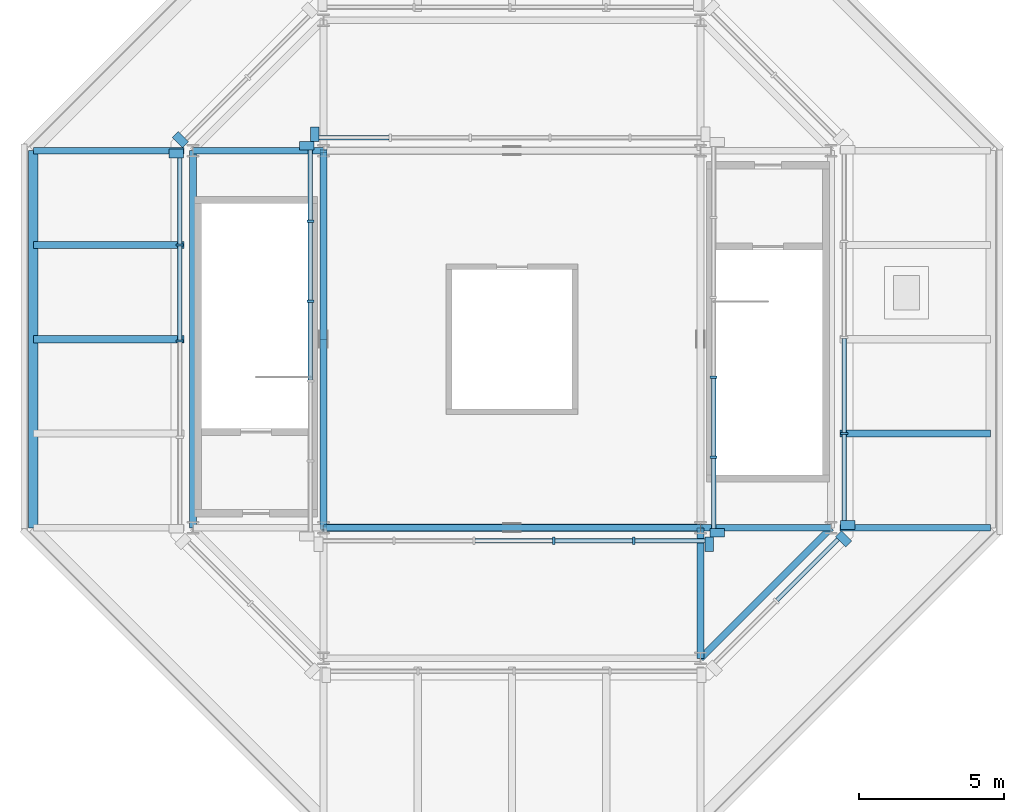
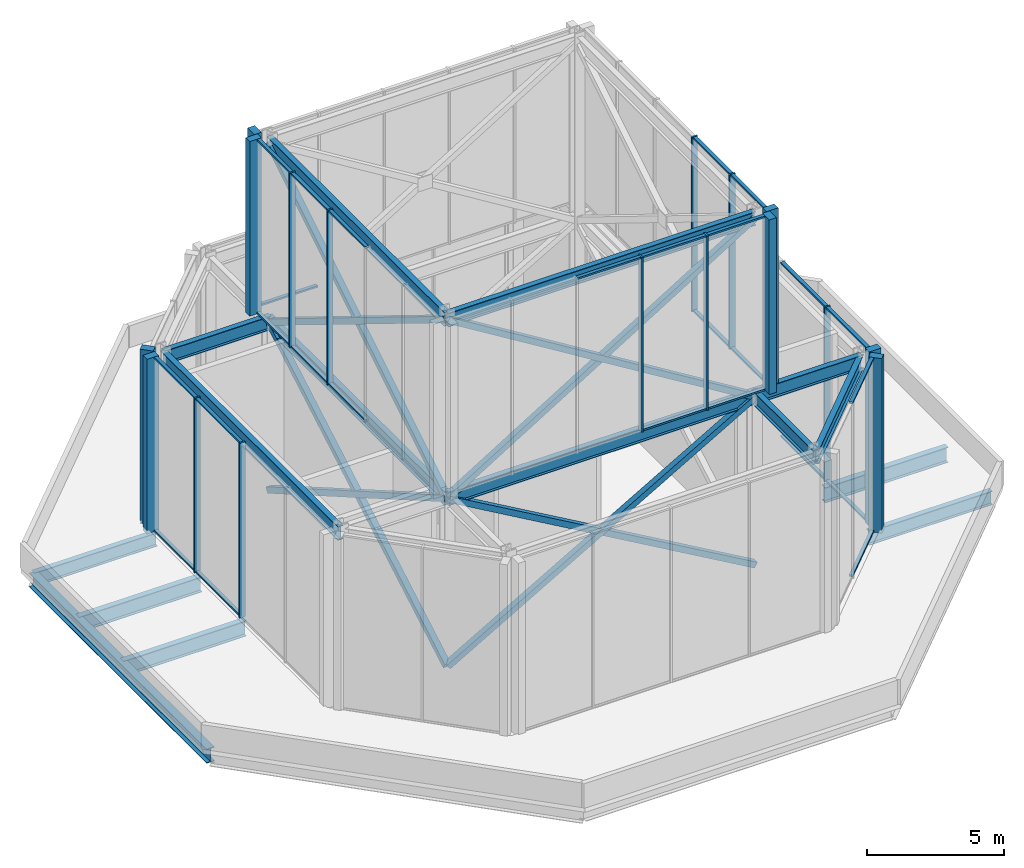
# One storey, part 2 of 6: 51 members, 15 beams, 8 elements without a shape of their own.
"""IFC4 building model written with IfcOpenShell, lengths in metres."""

from ifc_helpers import new_model, si_unit, direction, frame, origin, origin_2d, place, context, subcontext, project, spatial, rectangle, hollow_rectangle, i_section, extrude, material, material_profile, profile_set, type_object, element, aggregate, save


model = new_model("IFC4")

# Units and contexts
model_context = context("Model", 3, precision=1e-05, world=origin(), true_north=direction((0.0, 1.0)))
body_context = subcontext(model_context, "Body", "Model", "MODEL_VIEW")
ifc_project = project(units=[si_unit("LENGTHUNIT", "METRE"), si_unit("AREAUNIT", "SQUARE_METRE"), si_unit("VOLUMEUNIT", "CUBIC_METRE"), si_unit("PLANEANGLEUNIT", "RADIAN"), si_unit("MASSUNIT", "GRAM", prefix="KILO")], contexts=[model_context])

# Site, building, storey
site_placement = place(None, origin())
site = spatial("IfcSite", under=ifc_project, at=site_placement, CompositionType="ELEMENT")
building_placement = place(site_placement, origin())
building = spatial("IfcBuilding", under=site, at=building_placement, Name="Trevanion Tower", CompositionType="ELEMENT")
storey_placement = place(building_placement, frame((0.0, 0.0, 310.199951171875)))
storey = spatial("IfcBuildingStorey", under=building, at=storey_placement, Name="ROOF", CompositionType="ELEMENT", Elevation=310.199951171875)

# Beams
ifc_material_1 = material(Name="Steel ASTM A992 Grade 50", Category="steel")
ifc_material_profile_1 = material_profile(ifc_material_1, i_section(OverallWidth=0.25390625, OverallDepth=0.683349609375, WebThickness=0.012451171875, FlangeThickness=0.01904296875, at=origin_2d()), Name="W27X94")
ifc_profile_set_1 = profile_set([ifc_material_profile_1], Name="Steel ASTM A992 Grade 50")
beam_type_1 = type_object("IfcBeamType", Name="B16 W27X94", PredefinedType="BEAM", material=ifc_profile_set_1)
for number, where, z_axis, x_axis, name in (
    (1, (11.300048828125, -3.25, -0.531494140625), (1.0, 0.0, 0.0), (0.0, 1.0, 0.0), "B16 ROOF"),
    (2, (-11.300048828125, 3.25, -0.531494140625), (-1.0, 0.0, 0.0), (0.0, -1.0, 0.0), "B16 ROOF"),
    (3, (-11.300048828125, 0.0, -0.531494140625), (-1.0, 0.0, 0.0), (0.0, -1.0, 0.0), "B16 ROOF"),
):
    element("IfcBeam", number, at=place(storey_placement, frame(where, z_axis=z_axis, x_axis=x_axis)), inside=storey, type_object=beam_type_1, Name=name, PredefinedType="BEAM", context=body_context, shape_type="SweptSolid", body=[
        extrude(i_section(OverallWidth=0.25390625, OverallDepth=0.683349609375, WebThickness=0.012451171875, FlangeThickness=0.01904296875, at=origin_2d()), origin(), (0.0, 0.0, 1.0), 5.199951171875),
    ])
ifc_material_2 = material(Name="Steel ASTM A992 Grade 50", Category="steel")
ifc_material_profile_2 = material_profile(ifc_material_2, i_section(OverallWidth=0.23046875, OverallDepth=0.6171875, WebThickness=0.01318359375, FlangeThickness=0.022216796875, at=origin_2d()), Name="W24X94")
ifc_profile_set_2 = profile_set([ifc_material_profile_2], Name="Steel ASTM A992 Grade 50")
beam_type_2 = type_object("IfcBeamType", Name="CR1 W24X94", PredefinedType="BEAM", material=ifc_profile_set_2)
beam_1_placement = place(storey_placement, frame((-11.0, 6.5, 7.50146484375), z_axis=(0.0, -1.0, 0.0), x_axis=(1.0, 0.0, 0.0)))
element("IfcBeam", 4, at=beam_1_placement, inside=storey, type_object=beam_type_2, Name="CR1 crown T1 ring", PredefinedType="BEAM", context=body_context, shape_type="SweptSolid", body=[
    extrude(i_section(OverallWidth=0.23046875, OverallDepth=0.6171875, WebThickness=0.01318359375, FlangeThickness=0.022216796875, at=origin_2d()), origin(), (0.0, 0.0, 1.0), 13.0),
])
beam_2_placement = place(storey_placement, frame((6.5, -11.0, 7.50146484375), z_axis=(0.707106781187, 0.707106781187, 0.0), x_axis=(-0.707106781187, 0.707106781187, 0.0)))
element("IfcBeam", 5, at=beam_2_placement, inside=storey, type_object=beam_type_2, Name="CR1 crown T1 ring", PredefinedType="BEAM", context=body_context, shape_type="SweptSolid", body=[
    extrude(i_section(OverallWidth=0.23046875, OverallDepth=0.6171875, WebThickness=0.01318359375, FlangeThickness=0.022216796875, at=origin_2d()), origin(), (0.0, 0.0, 1.0), 6.364013671875),
])
for number, where, z_axis, x_axis, name in (
    (6, (-6.5, 6.5, 15.50146484375), (0.0, -1.0, 0.0), (1.0, 0.0, 0.0), "CR1 crown T2 ring"),
    (7, (-6.5, -6.5, 15.50146484375), (1.0, 0.0, 0.0), (0.0, 1.0, 0.0), "CR1 crown T2 ring"),
):
    element("IfcBeam", number, at=place(storey_placement, frame(where, z_axis=z_axis, x_axis=x_axis)), inside=storey, type_object=beam_type_2, Name=name, PredefinedType="BEAM", context=body_context, shape_type="SweptSolid", body=[
        extrude(i_section(OverallWidth=0.23046875, OverallDepth=0.6171875, WebThickness=0.01318359375, FlangeThickness=0.022216796875, at=origin_2d()), origin(), (0.0, 0.0, 1.0), 13.0),
    ])
ifc_material_3 = material(Name="Steel ASTM A992 Grade 50", Category="steel")
ifc_material_profile_3 = material_profile(ifc_material_3, i_section(OverallWidth=0.23046875, OverallDepth=0.6171875, WebThickness=0.01318359375, FlangeThickness=0.022216796875, at=origin_2d()), Name="W24X94")
ifc_profile_set_3 = profile_set([ifc_material_profile_3], Name="Steel ASTM A992 Grade 50")
beam_type_3 = type_object("IfcBeamType", Name="CR2 W24X94", PredefinedType="BEAM", material=ifc_profile_set_3)
for number, where, z_axis, x_axis, name in (
    (8, (-6.5, 6.5, 7.50146484375), (0.0, -1.0, 0.0), (1.0, 0.0, 0.0), "CR2 crown tier 1 inner ring"),
    (9, (-6.5, -6.5, 7.50146484375), (1.0, 0.0, 0.0), (0.0, 1.0, 0.0), "CR2 crown tier 1 inner ring"),
):
    element("IfcBeam", number, at=place(storey_placement, frame(where, z_axis=z_axis, x_axis=x_axis)), inside=storey, type_object=beam_type_3, Name=name, PredefinedType="BEAM", context=body_context, shape_type="SweptSolid", body=[
        extrude(i_section(OverallWidth=0.23046875, OverallDepth=0.6171875, WebThickness=0.01318359375, FlangeThickness=0.022216796875, at=origin_2d()), origin(), (0.0, 0.0, 1.0), 13.0),
    ])
for number, where, z_axis, x_axis, name in (
    (10, (6.5, -6.5, 7.50146484375), (1.0, 0.0, 0.0), (0.0, 1.0, 0.0), "CR2 crown tier 1 radial"),
    (11, (6.5, -6.5, 7.50146484375), (0.0, -1.0, 0.0), (1.0, 0.0, 0.0), "CR2 crown tier 1 radial"),
    (12, (-6.5, 6.5, 7.50146484375), (-1.0, 0.0, 0.0), (0.0, -1.0, 0.0), "CR2 crown tier 1 radial"),
):
    element("IfcBeam", number, at=place(storey_placement, frame(where, z_axis=z_axis, x_axis=x_axis)), inside=storey, type_object=beam_type_3, Name=name, PredefinedType="BEAM", context=body_context, shape_type="SweptSolid", body=[
        extrude(i_section(OverallWidth=0.23046875, OverallDepth=0.6171875, WebThickness=0.01318359375, FlangeThickness=0.022216796875, at=origin_2d()), origin(), (0.0, 0.0, 1.0), 4.5),
    ])

# Curtain wall, members
ifc_material_4 = material(Name="Aluminium louvres", Category="aluminium")
curtain_wall_type = type_object("IfcCurtainWallType", Name="CWC curtain wall", PredefinedType="USERDEFINED", material=ifc_material_4)
curtain_wall_1_placement = place(storey_placement, origin())
curtain_wall_1 = element("IfcCurtainWall", 13, at=curtain_wall_1_placement, inside=storey, type_object=curtain_wall_type, Name="CWC ROOF 3", ObjectType="LOUVRE SCREEN", PredefinedType="USERDEFINED")
ifc_material_5 = material(Name="Aluminium extrusion, anodised bronze", Category="aluminium")
ifc_material_profile_4 = material_profile(ifc_material_5, rectangle(XDim=0.074951171875, YDim=0.25, at=origin_2d()), Name="CWC mullion")
ifc_profile_set_4 = profile_set([ifc_material_profile_4], Name="Aluminium extrusion, anodised bronze")
member_type_1 = type_object("IfcMemberType", Name="CWC mullion", PredefinedType="MULLION", material=ifc_profile_set_4)
member_1_placement = place(storey_placement, frame((-11.449951171875, 3.24560546875, 0.0), z_axis=(0.0, 0.0, 1.0), x_axis=(0.0, -1.0, 0.0)))
member_1 = element("IfcMember", 14, at=member_1_placement, type_object=member_type_1, Name="CWC mullion 2", PredefinedType="MULLION", context=body_context, shape_type="SweptSolid", body=[
    extrude(rectangle(XDim=0.074951171875, YDim=0.25, at=origin_2d()), origin(), (0.0, 0.0, 1.0), 7.81005859375),
])
member_2_placement = place(storey_placement, frame((-11.449951171875, -0.06494140625, 0.0), z_axis=(0.0, 0.0, 1.0), x_axis=(0.0, -1.0, 0.0)))
member_2 = element("IfcMember", 15, at=member_2_placement, type_object=member_type_1, Name="CWC mullion 3", PredefinedType="MULLION", context=body_context, shape_type="SweptSolid", body=[
    extrude(rectangle(XDim=0.074951171875, YDim=0.25, at=origin_2d()), origin(), (0.0, 0.0, 1.0), 7.81005859375),
])

# Curtain wall, member
curtain_wall_2_placement = place(storey_placement, origin())
curtain_wall_2 = element("IfcCurtainWall", 16, at=curtain_wall_2_placement, inside=storey, type_object=curtain_wall_type, Name="CWC ROOF 7", ObjectType="LOUVRE SCREEN", PredefinedType="USERDEFINED")
member_3_placement = place(storey_placement, frame((11.449951171875, -3.24560546875, 0.0), z_axis=(0.0, 0.0, 1.0), x_axis=(0.0, 1.0, 0.0)))
member_3 = element("IfcMember", 17, at=member_3_placement, type_object=member_type_1, Name="CWC mullion 2", PredefinedType="MULLION", context=body_context, shape_type="SweptSolid", body=[
    extrude(rectangle(XDim=0.074951171875, YDim=0.25, at=origin_2d()), origin(), (0.0, 0.0, 1.0), 7.81005859375),
])

# Curtain wall, members
curtain_wall_3_placement = place(storey_placement, origin())
curtain_wall_3 = element("IfcCurtainWall", 18, at=curtain_wall_3_placement, inside=storey, type_object=curtain_wall_type, Name="CWC ROOF 1", ObjectType="LOUVRE SCREEN", PredefinedType="USERDEFINED")
member_4_placement = place(storey_placement, frame((-6.949951171875, 4.06591796875, 8.0), z_axis=(0.0, 0.0, 1.0), x_axis=(0.0, -1.0, 0.0)))
member_4 = element("IfcMember", 19, at=member_4_placement, type_object=member_type_1, Name="CWC mullion 2", PredefinedType="MULLION", context=body_context, shape_type="SweptSolid", body=[
    extrude(rectangle(XDim=0.074951171875, YDim=0.25, at=origin_2d()), origin(), (0.0, 0.0, 1.0), 7.81005859375),
])
member_5_placement = place(storey_placement, frame((-6.949951171875, 1.31201171875, 8.0), z_axis=(0.0, 0.0, 1.0), x_axis=(0.0, -1.0, 0.0)))
member_5 = element("IfcMember", 20, at=member_5_placement, type_object=member_type_1, Name="CWC mullion 3", PredefinedType="MULLION", context=body_context, shape_type="SweptSolid", body=[
    extrude(rectangle(XDim=0.074951171875, YDim=0.25, at=origin_2d()), origin(), (0.0, 0.0, 1.0), 7.81005859375),
])

curtain_wall_4_placement = place(storey_placement, origin())
curtain_wall_4 = element("IfcCurtainWall", 21, at=curtain_wall_4_placement, inside=storey, type_object=curtain_wall_type, Name="CWC ROOF 2", ObjectType="LOUVRE SCREEN", PredefinedType="USERDEFINED")
member_6_placement = place(storey_placement, frame((1.44189453125, -6.949951171875, 8.0), z_axis=(0.0, 0.0, 1.0), x_axis=(1.0, 0.0, 0.0)))
member_6 = element("IfcMember", 22, at=member_6_placement, type_object=member_type_1, Name="CWC mullion 4", PredefinedType="MULLION", context=body_context, shape_type="SweptSolid", body=[
    extrude(rectangle(XDim=0.074951171875, YDim=0.25, at=origin_2d()), origin(), (0.0, 0.0, 1.0), 7.81005859375),
])
member_7_placement = place(storey_placement, frame((4.196044921875, -6.949951171875, 8.0), z_axis=(0.0, 0.0, 1.0), x_axis=(1.0, 0.0, 0.0)))
member_7 = element("IfcMember", 23, at=member_7_placement, type_object=member_type_1, Name="CWC mullion 5", PredefinedType="MULLION", context=body_context, shape_type="SweptSolid", body=[
    extrude(rectangle(XDim=0.074951171875, YDim=0.25, at=origin_2d()), origin(), (0.0, 0.0, 1.0), 7.81005859375),
])

curtain_wall_5_placement = place(storey_placement, origin())
curtain_wall_5 = element("IfcCurtainWall", 24, at=curtain_wall_5_placement, inside=storey, type_object=curtain_wall_type, Name="CWC ROOF 3", ObjectType="LOUVRE SCREEN", PredefinedType="USERDEFINED")
member_8_placement = place(storey_placement, frame((6.949951171875, -4.06591796875, 8.0), z_axis=(0.0, 0.0, 1.0), x_axis=(0.0, 1.0, 0.0)))
member_8 = element("IfcMember", 25, at=member_8_placement, type_object=member_type_1, Name="CWC mullion 2", PredefinedType="MULLION", context=body_context, shape_type="SweptSolid", body=[
    extrude(rectangle(XDim=0.074951171875, YDim=0.25, at=origin_2d()), origin(), (0.0, 0.0, 1.0), 7.81005859375),
])
member_9_placement = place(storey_placement, frame((6.949951171875, -1.31201171875, 8.0), z_axis=(0.0, 0.0, 1.0), x_axis=(0.0, 1.0, 0.0)))
member_9 = element("IfcMember", 26, at=member_9_placement, type_object=member_type_1, Name="CWC mullion 3", PredefinedType="MULLION", context=body_context, shape_type="SweptSolid", body=[
    extrude(rectangle(XDim=0.074951171875, YDim=0.25, at=origin_2d()), origin(), (0.0, 0.0, 1.0), 7.81005859375),
])

# Curtain wall, member
curtain_wall_6_placement = place(storey_placement, origin())
curtain_wall_6 = element("IfcCurtainWall", 27, at=curtain_wall_6_placement, inside=storey, type_object=curtain_wall_type, Name="CWC ROOF 2", ObjectType="LOUVRE SCREEN", PredefinedType="USERDEFINED")
ifc_material_6 = material(Name="Aluminium extrusion, anodised bronze", Category="aluminium")
ifc_material_profile_5 = material_profile(ifc_material_6, rectangle(XDim=0.300048828125, YDim=0.5, at=origin_2d()), Name="CWC pier mullion")
ifc_profile_set_5 = profile_set([ifc_material_profile_5], Name="Aluminium extrusion, anodised bronze")
member_type_2 = type_object("IfcMemberType", Name="CWC pier mullion", PredefinedType="MULLION", material=ifc_profile_set_5)
member_10_placement = place(storey_placement, frame((-11.432373046875, 6.880859375, 0.0), z_axis=(0.0, 0.0, 1.0), x_axis=(-0.707106781187, -0.707106781187, 0.0)))
member_10 = element("IfcMember", 28, at=member_10_placement, type_object=member_type_2, Name="CWC pier mullion 3", PredefinedType="MULLION", context=body_context, shape_type="SweptSolid", body=[
    extrude(rectangle(XDim=0.300048828125, YDim=0.5, at=origin_2d()), origin(), (0.0, 0.0, 1.0), 7.81005859375),
])
aggregate(curtain_wall_6, [member_10])

# Member
member_11_placement = place(storey_placement, frame((-11.574951171875, 6.406494140625, 0.0), z_axis=(0.0, 0.0, 1.0), x_axis=(0.0, -1.0, 0.0)))
member_11 = element("IfcMember", 29, at=member_11_placement, type_object=member_type_2, Name="CWC pier mullion 1", PredefinedType="MULLION", context=body_context, shape_type="SweptSolid", body=[
    extrude(rectangle(XDim=0.300048828125, YDim=0.5, at=origin_2d()), origin(), (0.0, 0.0, 1.0), 7.81005859375),
])

# Curtain wall, member
curtain_wall_7_placement = place(storey_placement, origin())
curtain_wall_7 = element("IfcCurtainWall", 30, at=curtain_wall_7_placement, inside=storey, type_object=curtain_wall_type, Name="CWC ROOF 6", ObjectType="LOUVRE SCREEN", PredefinedType="USERDEFINED")
member_12_placement = place(storey_placement, frame((11.432373046875, -6.880859375, 0.0), z_axis=(0.0, 0.0, 1.0), x_axis=(0.707106781187, 0.707106781187, 0.0)))
member_12 = element("IfcMember", 31, at=member_12_placement, type_object=member_type_2, Name="CWC pier mullion 3", PredefinedType="MULLION", context=body_context, shape_type="SweptSolid", body=[
    extrude(rectangle(XDim=0.300048828125, YDim=0.5, at=origin_2d()), origin(), (0.0, 0.0, 1.0), 7.81005859375),
])

# Member
member_13_placement = place(storey_placement, frame((11.574951171875, -6.406494140625, 0.0), z_axis=(0.0, 0.0, 1.0), x_axis=(0.0, 1.0, 0.0)))
member_13 = element("IfcMember", 32, at=member_13_placement, type_object=member_type_2, Name="CWC pier mullion 1", PredefinedType="MULLION", context=body_context, shape_type="SweptSolid", body=[
    extrude(rectangle(XDim=0.300048828125, YDim=0.5, at=origin_2d()), origin(), (0.0, 0.0, 1.0), 7.81005859375),
])

# Curtain wall, member
curtain_wall_8_placement = place(storey_placement, origin())
curtain_wall_8 = element("IfcCurtainWall", 33, at=curtain_wall_8_placement, inside=storey, type_object=curtain_wall_type, Name="CWC ROOF 0", ObjectType="LOUVRE SCREEN", PredefinedType="USERDEFINED")
member_14_placement = place(storey_placement, frame((-6.800048828125, 7.074951171875, 8.0), z_axis=(0.0, 0.0, 1.0), x_axis=(-1.0, 0.0, 0.0)))
member_14 = element("IfcMember", 34, at=member_14_placement, type_object=member_type_2, Name="CWC pier mullion 6", PredefinedType="MULLION", context=body_context, shape_type="SweptSolid", body=[
    extrude(rectangle(XDim=0.300048828125, YDim=0.5, at=origin_2d()), origin(), (0.0, 0.0, 1.0), 7.81005859375),
])

# Member
member_15_placement = place(storey_placement, frame((-7.074951171875, 6.669921875, 8.0), z_axis=(0.0, 0.0, 1.0), x_axis=(0.0, -1.0, 0.0)))
member_15 = element("IfcMember", 35, at=member_15_placement, type_object=member_type_2, Name="CWC pier mullion 1", PredefinedType="MULLION", context=body_context, shape_type="SweptSolid", body=[
    extrude(rectangle(XDim=0.300048828125, YDim=0.5, at=origin_2d()), origin(), (0.0, 0.0, 1.0), 7.81005859375),
])

member_16_placement = place(storey_placement, frame((6.800048828125, -7.074951171875, 8.0), z_axis=(0.0, 0.0, 1.0), x_axis=(1.0, 0.0, 0.0)))
member_16 = element("IfcMember", 36, at=member_16_placement, type_object=member_type_2, Name="CWC pier mullion 6", PredefinedType="MULLION", context=body_context, shape_type="SweptSolid", body=[
    extrude(rectangle(XDim=0.300048828125, YDim=0.5, at=origin_2d()), origin(), (0.0, 0.0, 1.0), 7.81005859375),
])

member_17_placement = place(storey_placement, frame((7.074951171875, -6.669921875, 8.0), z_axis=(0.0, 0.0, 1.0), x_axis=(0.0, 1.0, 0.0)))
member_17 = element("IfcMember", 37, at=member_17_placement, type_object=member_type_2, Name="CWC pier mullion 1", PredefinedType="MULLION", context=body_context, shape_type="SweptSolid", body=[
    extrude(rectangle(XDim=0.300048828125, YDim=0.5, at=origin_2d()), origin(), (0.0, 0.0, 1.0), 7.81005859375),
])

ifc_material_7 = material(Name="Aluminium extrusion, anodised bronze", Category="aluminium")
ifc_material_profile_6 = material_profile(ifc_material_7, rectangle(XDim=0.14990234375, YDim=0.074951171875, at=origin_2d()), Name="CWC transom")
ifc_profile_set_6 = profile_set([ifc_material_profile_6], Name="Aluminium extrusion, anodised bronze")
member_type_3 = type_object("IfcMemberType", Name="CWC transom", PredefinedType="USERDEFINED", material=ifc_profile_set_6)
member_18_placement = place(storey_placement, frame((-11.449951171875, 6.25634765625, 0.03759765625), z_axis=(0.0, -1.0, 0.0), x_axis=(1.0, 0.0, 0.0)))
member_18 = element("IfcMember", 38, at=member_18_placement, type_object=member_type_3, Name="CWC transom 1.1", ObjectType="TRANSOM", PredefinedType="USERDEFINED", context=body_context, shape_type="SweptSolid", body=[
    extrude(rectangle(XDim=0.14990234375, YDim=0.074951171875, at=origin_2d()), origin(), (0.0, 0.0, 1.0), 2.97314453125),
])

member_19_placement = place(storey_placement, frame((-11.449951171875, 6.25634765625, 7.7724609375), z_axis=(0.0, -1.0, 0.0), x_axis=(1.0, 0.0, 0.0)))
member_19 = element("IfcMember", 39, at=member_19_placement, type_object=member_type_3, Name="CWC transom 1.2", ObjectType="TRANSOM", PredefinedType="USERDEFINED", context=body_context, shape_type="SweptSolid", body=[
    extrude(rectangle(XDim=0.14990234375, YDim=0.074951171875, at=origin_2d()), origin(), (0.0, 0.0, 1.0), 2.97314453125),
])

member_20_placement = place(storey_placement, frame((-11.449951171875, 3.208251953125, 0.03759765625), z_axis=(0.0, -1.0, 0.0), x_axis=(1.0, 0.0, 0.0)))
member_20 = element("IfcMember", 40, at=member_20_placement, type_object=member_type_3, Name="CWC transom 2.1", ObjectType="TRANSOM", PredefinedType="USERDEFINED", context=body_context, shape_type="SweptSolid", body=[
    extrude(rectangle(XDim=0.14990234375, YDim=0.074951171875, at=origin_2d()), origin(), (0.0, 0.0, 1.0), 3.23583984375),
])

member_21_placement = place(storey_placement, frame((-11.449951171875, 3.208251953125, 7.7724609375), z_axis=(0.0, -1.0, 0.0), x_axis=(1.0, 0.0, 0.0)))
member_21 = element("IfcMember", 41, at=member_21_placement, type_object=member_type_3, Name="CWC transom 2.2", ObjectType="TRANSOM", PredefinedType="USERDEFINED", context=body_context, shape_type="SweptSolid", body=[
    extrude(rectangle(XDim=0.14990234375, YDim=0.074951171875, at=origin_2d()), origin(), (0.0, 0.0, 1.0), 3.23583984375),
])

aggregate(curtain_wall_1, [member_11, member_1, member_2, member_18, member_19, member_20, member_21])

member_22_placement = place(storey_placement, frame((9.140625, -8.99560546875, 0.03759765625), z_axis=(0.707106781187, 0.707106781187, 0.0), x_axis=(-0.707106781187, 0.707106781187, 0.0)))
member_22 = element("IfcMember", 42, at=member_22_placement, type_object=member_type_3, Name="CWC transom 2.1", ObjectType="TRANSOM", PredefinedType="USERDEFINED", context=body_context, shape_type="SweptSolid", body=[
    extrude(rectangle(XDim=0.14990234375, YDim=0.074951171875, at=origin_2d()), origin(), (0.0, 0.0, 1.0), 2.9658203125),
])

member_23_placement = place(storey_placement, frame((9.140625, -8.99560546875, 7.7724609375), z_axis=(0.707106781187, 0.707106781187, 0.0), x_axis=(-0.707106781187, 0.707106781187, 0.0)))
member_23 = element("IfcMember", 43, at=member_23_placement, type_object=member_type_3, Name="CWC transom 2.2", ObjectType="TRANSOM", PredefinedType="USERDEFINED", context=body_context, shape_type="SweptSolid", body=[
    extrude(rectangle(XDim=0.14990234375, YDim=0.074951171875, at=origin_2d()), origin(), (0.0, 0.0, 1.0), 2.9658203125),
])

aggregate(curtain_wall_7, [member_12, member_22, member_23])

member_24_placement = place(storey_placement, frame((11.449951171875, -6.25634765625, 0.03759765625), z_axis=(0.0, 1.0, 0.0), x_axis=(-1.0, 0.0, 0.0)))
member_24 = element("IfcMember", 44, at=member_24_placement, type_object=member_type_3, Name="CWC transom 1.1", ObjectType="TRANSOM", PredefinedType="USERDEFINED", context=body_context, shape_type="SweptSolid", body=[
    extrude(rectangle(XDim=0.14990234375, YDim=0.074951171875, at=origin_2d()), origin(), (0.0, 0.0, 1.0), 2.97314453125),
])

member_25_placement = place(storey_placement, frame((11.449951171875, -6.25634765625, 7.7724609375), z_axis=(0.0, 1.0, 0.0), x_axis=(-1.0, 0.0, 0.0)))
member_25 = element("IfcMember", 45, at=member_25_placement, type_object=member_type_3, Name="CWC transom 1.2", ObjectType="TRANSOM", PredefinedType="USERDEFINED", context=body_context, shape_type="SweptSolid", body=[
    extrude(rectangle(XDim=0.14990234375, YDim=0.074951171875, at=origin_2d()), origin(), (0.0, 0.0, 1.0), 2.97314453125),
])

member_26_placement = place(storey_placement, frame((11.449951171875, -3.208251953125, 0.03759765625), z_axis=(0.0, 1.0, 0.0), x_axis=(-1.0, 0.0, 0.0)))
member_26 = element("IfcMember", 46, at=member_26_placement, type_object=member_type_3, Name="CWC transom 2.1", ObjectType="TRANSOM", PredefinedType="USERDEFINED", context=body_context, shape_type="SweptSolid", body=[
    extrude(rectangle(XDim=0.14990234375, YDim=0.074951171875, at=origin_2d()), origin(), (0.0, 0.0, 1.0), 3.23583984375),
])

member_27_placement = place(storey_placement, frame((11.449951171875, -3.208251953125, 7.7724609375), z_axis=(0.0, 1.0, 0.0), x_axis=(-1.0, 0.0, 0.0)))
member_27 = element("IfcMember", 47, at=member_27_placement, type_object=member_type_3, Name="CWC transom 2.2", ObjectType="TRANSOM", PredefinedType="USERDEFINED", context=body_context, shape_type="SweptSolid", body=[
    extrude(rectangle(XDim=0.14990234375, YDim=0.074951171875, at=origin_2d()), origin(), (0.0, 0.0, 1.0), 3.23583984375),
])

aggregate(curtain_wall_2, [member_13, member_3, member_24, member_25, member_26, member_27])

member_28_placement = place(storey_placement, frame((-4.2333984375, 6.949951171875, 8.03759765625), z_axis=(-1.0, 0.0, 0.0), x_axis=(0.0, -1.0, 0.0)))
member_28 = element("IfcMember", 48, at=member_28_placement, type_object=member_type_3, Name="CWC transom 5.1", ObjectType="TRANSOM", PredefinedType="USERDEFINED", context=body_context, shape_type="SweptSolid", body=[
    extrude(rectangle(XDim=0.14990234375, YDim=0.074951171875, at=origin_2d()), origin(), (0.0, 0.0, 1.0), 2.41650390625),
])

aggregate(curtain_wall_8, [member_14, member_28])

member_29_placement = place(storey_placement, frame((-6.949951171875, 6.52001953125, 8.03759765625), z_axis=(0.0, -1.0, 0.0), x_axis=(1.0, 0.0, 0.0)))
member_29 = element("IfcMember", 49, at=member_29_placement, type_object=member_type_3, Name="CWC transom 1.1", ObjectType="TRANSOM", PredefinedType="USERDEFINED", context=body_context, shape_type="SweptSolid", body=[
    extrude(rectangle(XDim=0.14990234375, YDim=0.074951171875, at=origin_2d()), origin(), (0.0, 0.0, 1.0), 2.41650390625),
])

member_30_placement = place(storey_placement, frame((-6.949951171875, 6.52001953125, 15.7724609375), z_axis=(0.0, -1.0, 0.0), x_axis=(1.0, 0.0, 0.0)))
member_30 = element("IfcMember", 50, at=member_30_placement, type_object=member_type_3, Name="CWC transom 1.2", ObjectType="TRANSOM", PredefinedType="USERDEFINED", context=body_context, shape_type="SweptSolid", body=[
    extrude(rectangle(XDim=0.14990234375, YDim=0.074951171875, at=origin_2d()), origin(), (0.0, 0.0, 1.0), 2.41650390625),
])

member_31_placement = place(storey_placement, frame((-6.949951171875, 4.028564453125, 8.03759765625), z_axis=(0.0, -1.0, 0.0), x_axis=(1.0, 0.0, 0.0)))
member_31 = element("IfcMember", 51, at=member_31_placement, type_object=member_type_3, Name="CWC transom 2.1", ObjectType="TRANSOM", PredefinedType="USERDEFINED", context=body_context, shape_type="SweptSolid", body=[
    extrude(rectangle(XDim=0.14990234375, YDim=0.074951171875, at=origin_2d()), origin(), (0.0, 0.0, 1.0), 2.678955078125),
])

member_32_placement = place(storey_placement, frame((-6.949951171875, 4.028564453125, 15.7724609375), z_axis=(0.0, -1.0, 0.0), x_axis=(1.0, 0.0, 0.0)))
member_32 = element("IfcMember", 52, at=member_32_placement, type_object=member_type_3, Name="CWC transom 2.2", ObjectType="TRANSOM", PredefinedType="USERDEFINED", context=body_context, shape_type="SweptSolid", body=[
    extrude(rectangle(XDim=0.14990234375, YDim=0.074951171875, at=origin_2d()), origin(), (0.0, 0.0, 1.0), 2.678955078125),
])

member_33_placement = place(storey_placement, frame((-6.949951171875, 1.2744140625, 8.03759765625), z_axis=(0.0, -1.0, 0.0), x_axis=(1.0, 0.0, 0.0)))
member_33 = element("IfcMember", 53, at=member_33_placement, type_object=member_type_3, Name="CWC transom 3.1", ObjectType="TRANSOM", PredefinedType="USERDEFINED", context=body_context, shape_type="SweptSolid", body=[
    extrude(rectangle(XDim=0.14990234375, YDim=0.074951171875, at=origin_2d()), origin(), (0.0, 0.0, 1.0), 2.678955078125),
])

member_34_placement = place(storey_placement, frame((-6.949951171875, 1.2744140625, 15.7724609375), z_axis=(0.0, -1.0, 0.0), x_axis=(1.0, 0.0, 0.0)))
member_34 = element("IfcMember", 54, at=member_34_placement, type_object=member_type_3, Name="CWC transom 3.2", ObjectType="TRANSOM", PredefinedType="USERDEFINED", context=body_context, shape_type="SweptSolid", body=[
    extrude(rectangle(XDim=0.14990234375, YDim=0.074951171875, at=origin_2d()), origin(), (0.0, 0.0, 1.0), 2.678955078125),
])

aggregate(curtain_wall_3, [member_15, member_4, member_5, member_29, member_30, member_31, member_32, member_33, member_34])

member_35_placement = place(storey_placement, frame((-1.2744140625, -6.949951171875, 15.7724609375), z_axis=(1.0, 0.0, 0.0), x_axis=(0.0, 1.0, 0.0)))
member_35 = element("IfcMember", 55, at=member_35_placement, type_object=member_type_3, Name="CWC transom 3.2", ObjectType="TRANSOM", PredefinedType="USERDEFINED", context=body_context, shape_type="SweptSolid", body=[
    extrude(rectangle(XDim=0.14990234375, YDim=0.074951171875, at=origin_2d()), origin(), (0.0, 0.0, 1.0), 2.678955078125),
])

member_36_placement = place(storey_placement, frame((1.4794921875, -6.949951171875, 8.03759765625), z_axis=(1.0, 0.0, 0.0), x_axis=(0.0, 1.0, 0.0)))
member_36 = element("IfcMember", 56, at=member_36_placement, type_object=member_type_3, Name="CWC transom 4.1", ObjectType="TRANSOM", PredefinedType="USERDEFINED", context=body_context, shape_type="SweptSolid", body=[
    extrude(rectangle(XDim=0.14990234375, YDim=0.074951171875, at=origin_2d()), origin(), (0.0, 0.0, 1.0), 2.678955078125),
])

member_37_placement = place(storey_placement, frame((1.4794921875, -6.949951171875, 15.7724609375), z_axis=(1.0, 0.0, 0.0), x_axis=(0.0, 1.0, 0.0)))
member_37 = element("IfcMember", 57, at=member_37_placement, type_object=member_type_3, Name="CWC transom 4.2", ObjectType="TRANSOM", PredefinedType="USERDEFINED", context=body_context, shape_type="SweptSolid", body=[
    extrude(rectangle(XDim=0.14990234375, YDim=0.074951171875, at=origin_2d()), origin(), (0.0, 0.0, 1.0), 2.678955078125),
])

member_38_placement = place(storey_placement, frame((4.2333984375, -6.949951171875, 8.03759765625), z_axis=(1.0, 0.0, 0.0), x_axis=(0.0, 1.0, 0.0)))
member_38 = element("IfcMember", 58, at=member_38_placement, type_object=member_type_3, Name="CWC transom 5.1", ObjectType="TRANSOM", PredefinedType="USERDEFINED", context=body_context, shape_type="SweptSolid", body=[
    extrude(rectangle(XDim=0.14990234375, YDim=0.074951171875, at=origin_2d()), origin(), (0.0, 0.0, 1.0), 2.41650390625),
])

member_39_placement = place(storey_placement, frame((4.2333984375, -6.949951171875, 15.7724609375), z_axis=(1.0, 0.0, 0.0), x_axis=(0.0, 1.0, 0.0)))
member_39 = element("IfcMember", 59, at=member_39_placement, type_object=member_type_3, Name="CWC transom 5.2", ObjectType="TRANSOM", PredefinedType="USERDEFINED", context=body_context, shape_type="SweptSolid", body=[
    extrude(rectangle(XDim=0.14990234375, YDim=0.074951171875, at=origin_2d()), origin(), (0.0, 0.0, 1.0), 2.41650390625),
])

aggregate(curtain_wall_4, [member_6, member_7, member_16, member_35, member_36, member_37, member_38, member_39])

member_40_placement = place(storey_placement, frame((6.949951171875, -6.52001953125, 8.03759765625), z_axis=(0.0, 1.0, 0.0), x_axis=(-1.0, 0.0, 0.0)))
member_40 = element("IfcMember", 60, at=member_40_placement, type_object=member_type_3, Name="CWC transom 1.1", ObjectType="TRANSOM", PredefinedType="USERDEFINED", context=body_context, shape_type="SweptSolid", body=[
    extrude(rectangle(XDim=0.14990234375, YDim=0.074951171875, at=origin_2d()), origin(), (0.0, 0.0, 1.0), 2.41650390625),
])

member_41_placement = place(storey_placement, frame((6.949951171875, -6.52001953125, 15.7724609375), z_axis=(0.0, 1.0, 0.0), x_axis=(-1.0, 0.0, 0.0)))
member_41 = element("IfcMember", 61, at=member_41_placement, type_object=member_type_3, Name="CWC transom 1.2", ObjectType="TRANSOM", PredefinedType="USERDEFINED", context=body_context, shape_type="SweptSolid", body=[
    extrude(rectangle(XDim=0.14990234375, YDim=0.074951171875, at=origin_2d()), origin(), (0.0, 0.0, 1.0), 2.41650390625),
])

member_42_placement = place(storey_placement, frame((6.949951171875, -4.028564453125, 8.03759765625), z_axis=(0.0, 1.0, 0.0), x_axis=(-1.0, 0.0, 0.0)))
member_42 = element("IfcMember", 62, at=member_42_placement, type_object=member_type_3, Name="CWC transom 2.1", ObjectType="TRANSOM", PredefinedType="USERDEFINED", context=body_context, shape_type="SweptSolid", body=[
    extrude(rectangle(XDim=0.14990234375, YDim=0.074951171875, at=origin_2d()), origin(), (0.0, 0.0, 1.0), 2.678955078125),
])

member_43_placement = place(storey_placement, frame((6.949951171875, -4.028564453125, 15.7724609375), z_axis=(0.0, 1.0, 0.0), x_axis=(-1.0, 0.0, 0.0)))
member_43 = element("IfcMember", 63, at=member_43_placement, type_object=member_type_3, Name="CWC transom 2.2", ObjectType="TRANSOM", PredefinedType="USERDEFINED", context=body_context, shape_type="SweptSolid", body=[
    extrude(rectangle(XDim=0.14990234375, YDim=0.074951171875, at=origin_2d()), origin(), (0.0, 0.0, 1.0), 2.678955078125),
])

aggregate(curtain_wall_5, [member_17, member_8, member_9, member_40, member_41, member_42, member_43])

# Members
ifc_material_8 = material(Name="Steel ASTM A500 Grade C", Category="steel")
ifc_material_profile_7 = material_profile(ifc_material_8, hollow_rectangle(XDim=0.25390625, YDim=0.25390625, WallThickness=0.01171875, at=origin_2d()), Name="HSS10X10X1/2")
ifc_profile_set_7 = profile_set([ifc_material_profile_7], Name="Steel ASTM A500 Grade C")
member_type_4 = type_object("IfcMemberType", Name="CX1 HSS10X10X1/2", PredefinedType="BRACE", material=ifc_profile_set_7)
for number, where, z_axis, x_axis, name in (
    (64, (-6.5, 6.5, 0.0), (0.0, -0.866143337737, 0.499795676745), (1.0, 0.0, 0.0), "CX1 crown T2 brace"),
    (65, (-6.5, -6.5, 0.0), (0.0, 0.866143337737, 0.499795676745), (-1.0, 0.0, 0.0), "CX1 crown T2 brace"),
):
    element("IfcMember", number, at=place(storey_placement, frame(where, z_axis=z_axis, x_axis=x_axis)), inside=storey, type_object=member_type_4, Name=name, PredefinedType="BRACE", context=body_context, shape_type="SweptSolid", body=[
        extrude(hollow_rectangle(XDim=0.25390625, YDim=0.25390625, WallThickness=0.01171875, at=origin_2d()), origin(), (0.0, 0.0, 1.0), 15.009033203125),
    ])
for number, where, z_axis, x_axis, name in (
    (66, (-6.5, 6.5, 7.50146484375), (0.0, -0.851658316705, 0.524097425664), (1.0, 0.0, 0.0), "CX1 crown T2 brace"),
    (67, (-6.5, -6.5, 7.50146484375), (0.0, 0.851658316705, 0.524097425664), (-1.0, 0.0, 0.0), "CX1 crown T2 brace"),
):
    element("IfcMember", number, at=place(storey_placement, frame(where, z_axis=z_axis, x_axis=x_axis)), inside=storey, type_object=member_type_4, Name=name, PredefinedType="BRACE", context=body_context, shape_type="SweptSolid", body=[
        extrude(hollow_rectangle(XDim=0.25390625, YDim=0.25390625, WallThickness=0.01171875, at=origin_2d()), origin(), (0.0, 0.0, 1.0), 15.264404296875),
    ])
for number, where, z_axis, x_axis, name in (
    (68, (-6.5, -6.5, 0.0), (0.866143337737, 0.0, 0.499795676745), (0.0, 1.0, 0.0), "CX1 crown T2 brace"),
    (69, (6.5, -6.5, 0.0), (-0.866143337737, 0.0, 0.499795676745), (0.0, -1.0, 0.0), "CX1 crown T2 brace"),
):
    element("IfcMember", number, at=place(storey_placement, frame(where, z_axis=z_axis, x_axis=x_axis)), inside=storey, type_object=member_type_4, Name=name, PredefinedType="BRACE", context=body_context, shape_type="SweptSolid", body=[
        extrude(hollow_rectangle(XDim=0.25390625, YDim=0.25390625, WallThickness=0.01171875, at=origin_2d()), origin(), (0.0, 0.0, 1.0), 15.009033203125),
    ])
for number, where, z_axis, x_axis, name in (
    (70, (-6.5, -6.5, 7.50146484375), (0.851658316705, 0.0, 0.524097425664), (0.0, 1.0, 0.0), "CX1 crown T2 brace"),
    (71, (6.5, -6.5, 7.50146484375), (-0.851658316705, 0.0, 0.524097425664), (0.0, -1.0, 0.0), "CX1 crown T2 brace"),
):
    element("IfcMember", number, at=place(storey_placement, frame(where, z_axis=z_axis, x_axis=x_axis)), inside=storey, type_object=member_type_4, Name=name, PredefinedType="BRACE", context=body_context, shape_type="SweptSolid", body=[
        extrude(hollow_rectangle(XDim=0.25390625, YDim=0.25390625, WallThickness=0.01171875, at=origin_2d()), origin(), (0.0, 0.0, 1.0), 15.264404296875),
    ])

# Beams
ifc_material_9 = material(Name="Steel ASTM A992 Grade 50", Category="steel")
ifc_material_profile_8 = material_profile(ifc_material_9, i_section(OverallWidth=0.22900390625, OverallDepth=0.612060546875, WebThickness=0.011962890625, FlangeThickness=0.01953125, at=origin_2d()), Name="W24X84")
ifc_profile_set_8 = profile_set([ifc_material_profile_8], Name="Steel ASTM A992 Grade 50")
beam_type_4 = type_object("IfcBeamType", Name="G9 W24X84", PredefinedType="BEAM", material=ifc_profile_set_8)
for number, where, z_axis, x_axis, name in (
    (72, (11.300048828125, -6.5, -0.49609375), (1.0, 0.0, 0.0), (0.0, 1.0, 0.0), "G9 ROOF"),
    (73, (-11.300048828125, 6.5, -0.49609375), (-1.0, 0.0, 0.0), (0.0, -1.0, 0.0), "G9 ROOF"),
):
    element("IfcBeam", number, at=place(storey_placement, frame(where, z_axis=z_axis, x_axis=x_axis)), inside=storey, type_object=beam_type_4, Name=name, PredefinedType="BEAM", context=body_context, shape_type="SweptSolid", body=[
        extrude(i_section(OverallWidth=0.22900390625, OverallDepth=0.612060546875, WebThickness=0.011962890625, FlangeThickness=0.01953125, at=origin_2d()), origin(), (0.0, 0.0, 1.0), 5.199951171875),
    ])
ifc_material_10 = material(Name="Steel ASTM A992 Grade 50", Category="steel")
ifc_material_profile_9 = material_profile(ifc_material_10, i_section(OverallWidth=0.330078125, OverallDepth=0.635009765625, WebThickness=0.017822265625, FlangeThickness=0.031005859375, at=origin_2d()), Name="W24X162")
ifc_profile_set_9 = profile_set([ifc_material_profile_9], Name="Steel ASTM A992 Grade 50")
beam_type_5 = type_object("IfcBeamType", Name="SB14 W24X162", PredefinedType="SPANDREL", material=ifc_profile_set_9)
beam_3_placement = place(storey_placement, frame((-16.5, 6.5, -0.507568359375), z_axis=(0.0, -1.0, 0.0), x_axis=(1.0, 0.0, 0.0)))
element("IfcBeam", 74, at=beam_3_placement, inside=storey, type_object=beam_type_5, Name="SB14 ROOF", PredefinedType="SPANDREL", context=body_context, shape_type="SweptSolid", body=[
    extrude(i_section(OverallWidth=0.330078125, OverallDepth=0.635009765625, WebThickness=0.017822265625, FlangeThickness=0.031005859375, at=origin_2d()), origin(), (0.0, 0.0, 1.0), 13.0),
])

save(model, "model.ifc")
